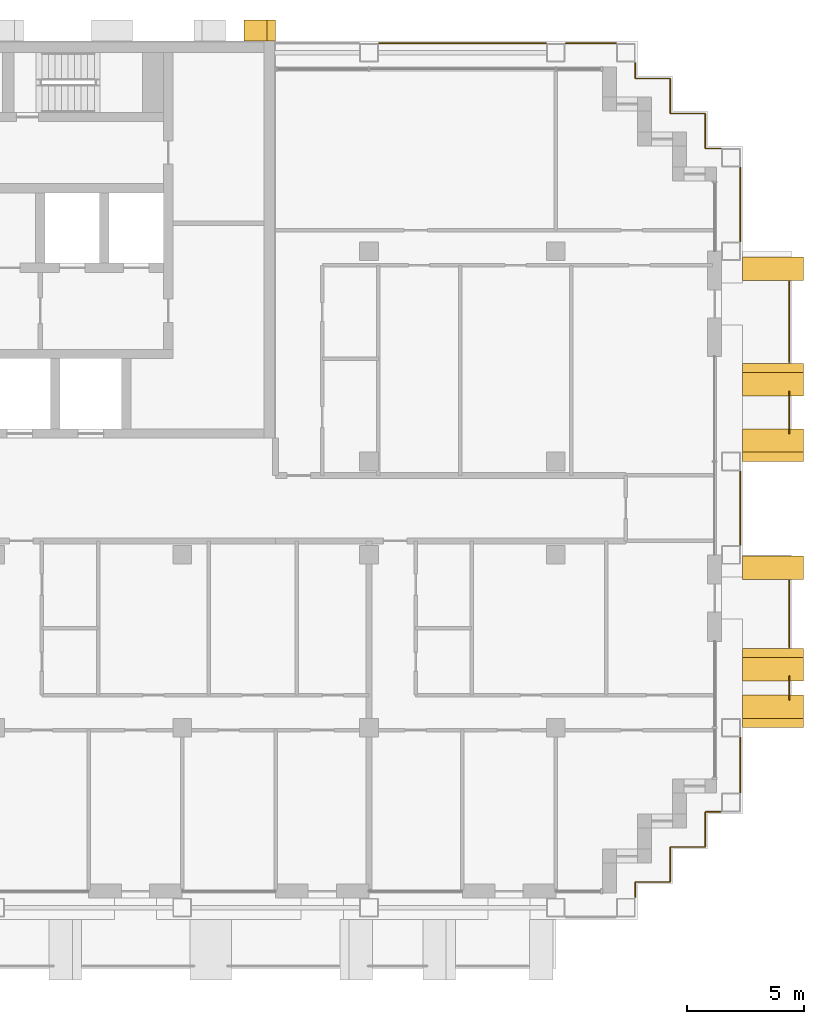
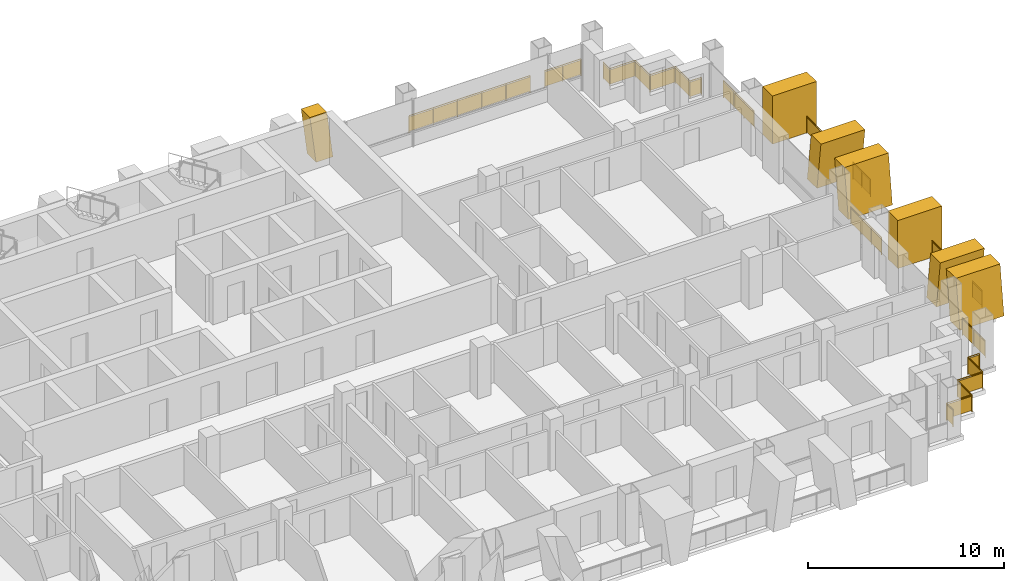
# One storey, part 17 of 17: 11 railings, 7 shading devices.
"""IFC4 building model written with IfcOpenShell, lengths in metres."""

from ifc_helpers import new_model, si_unit, direction, frame, origin, origin_2d, place, context, subcontext, project, spatial, polyline, rectangle, circle, outline, extrude, material, layer, layer_set, type_object, element, save


model = new_model("IFC4")

# Units and contexts
model_context = context("Model", 3, precision=1e-05, world=origin(), true_north=direction((0.0, 1.0)))
body_context = subcontext(model_context, "Body", "Model", "MODEL_VIEW")
ifc_project = project(units=[si_unit("LENGTHUNIT", "METRE"), si_unit("AREAUNIT", "SQUARE_METRE"), si_unit("VOLUMEUNIT", "CUBIC_METRE"), si_unit("PLANEANGLEUNIT", "RADIAN"), si_unit("MASSUNIT", "GRAM", prefix="KILO")], contexts=[model_context])

# Site, building, storey
site_placement = place(None, origin())
site = spatial("IfcSite", under=ifc_project, at=site_placement, CompositionType="ELEMENT")
building_placement = place(site_placement, origin())
building = spatial("IfcBuilding", under=site, at=building_placement, Name="Vidyagriha Tower", CompositionType="ELEMENT")
storey_placement = place(building_placement, frame((0.0, 0.0, 119.800048828125)))
storey = spatial("IfcBuildingStorey", under=building, at=storey_placement, Name="L30", CompositionType="ELEMENT", Elevation=119.800048828125)

# Railings
ifc_material_1 = material(Name="Steel ASTM A500 Grade C black painted", Category="steel")
railing_type_1 = type_object("IfcRailingType", Name="Balcony guard 1100", PredefinedType="BALUSTRADE", material=ifc_material_1)
railing_1_placement = place(storey_placement, frame((36.0, -8.19677734375, 0.0)))
element("IfcRailing", 1, at=railing_1_placement, inside=storey, type_object=railing_type_1, Name="Balcony guard L30 R30.1-1", PredefinedType="BALUSTRADE", context=body_context, shape_type="SweptSolid", body=[
    extrude(circle(Radius=0.02490234375, at=origin_2d()), frame((0.0, 0.0, 1.0751953125), z_axis=(0.0, 1.0, 0.0), x_axis=(-1.0, 0.0, 0.0)), (0.0, 0.0, 1.0), 0.993408203125),
    extrude(circle(Radius=0.02001953125, at=origin_2d()), origin(), (0.0, 0.0, 1.0), 1.050048828125),
    extrude(circle(Radius=0.02001953125, at=origin_2d()), frame((0.0, 0.993408203125, 0.0)), (0.0, 0.0, 1.0), 1.050048828125),
    extrude(rectangle(XDim=0.010009765625, YDim=0.900146484375, at=origin_2d()), frame((0.0, 0.0, 0.550048828125), z_axis=(0.0, 1.0, 0.0), x_axis=(-1.0, 0.0, 0.0)), (0.0, 0.0, 1.0), 0.993408203125),
])
railing_2_placement = place(storey_placement, frame((36.0, -5.949951171875, 0.0)))
element("IfcRailing", 2, at=railing_2_placement, inside=storey, type_object=railing_type_1, Name="Balcony guard L30 R30.1-2", PredefinedType="BALUSTRADE", context=body_context, shape_type="SweptSolid", body=[
    extrude(circle(Radius=0.02490234375, at=origin_2d()), frame((0.0, 0.0, 1.0751953125), z_axis=(0.0, 1.0, 0.0), x_axis=(-1.0, 0.0, 0.0)), (0.0, 0.0, 1.0), 2.849853515625),
    extrude(circle(Radius=0.02001953125, at=origin_2d()), origin(), (0.0, 0.0, 1.0), 1.050048828125),
    extrude(circle(Radius=0.02001953125, at=origin_2d()), frame((0.0, 0.949951171875, 0.0)), (0.0, 0.0, 1.0), 1.050048828125),
    extrude(circle(Radius=0.02001953125, at=origin_2d()), frame((0.0, 1.89990234375, 0.0)), (0.0, 0.0, 1.0), 1.050048828125),
    extrude(circle(Radius=0.02001953125, at=origin_2d()), frame((0.0, 2.849853515625, 0.0)), (0.0, 0.0, 1.0), 1.050048828125),
    extrude(rectangle(XDim=0.010009765625, YDim=0.900146484375, at=origin_2d()), frame((0.0, 0.0, 0.550048828125), z_axis=(0.0, 1.0, 0.0), x_axis=(-1.0, 0.0, 0.0)), (0.0, 0.0, 1.0), 2.849853515625),
])
railing_3_placement = place(storey_placement, frame((36.0, 3.203369140625, 0.0)))
element("IfcRailing", 3, at=railing_3_placement, inside=storey, type_object=railing_type_1, Name="Balcony guard L30 R30.2-1", PredefinedType="BALUSTRADE", context=body_context, shape_type="SweptSolid", body=[
    extrude(circle(Radius=0.02490234375, at=origin_2d()), frame((0.0, 0.0, 1.0751953125), z_axis=(0.0, 1.0, 0.0), x_axis=(-1.0, 0.0, 0.0)), (0.0, 0.0, 1.0), 1.793212890625),
    extrude(circle(Radius=0.02001953125, at=origin_2d()), origin(), (0.0, 0.0, 1.0), 1.050048828125),
    extrude(circle(Radius=0.02001953125, at=origin_2d()), frame((0.0, 0.896484375, 0.0)), (0.0, 0.0, 1.0), 1.050048828125),
    extrude(circle(Radius=0.02001953125, at=origin_2d()), frame((0.0, 1.793212890625, 0.0)), (0.0, 0.0, 1.0), 1.050048828125),
    extrude(rectangle(XDim=0.010009765625, YDim=0.900146484375, at=origin_2d()), frame((0.0, 0.0, 0.550048828125), z_axis=(0.0, 1.0, 0.0), x_axis=(-1.0, 0.0, 0.0)), (0.0, 0.0, 1.0), 1.793212890625),
])
railing_4_placement = place(storey_placement, frame((36.0, 6.25, 0.0)))
element("IfcRailing", 4, at=railing_4_placement, inside=storey, type_object=railing_type_1, Name="Balcony guard L30 R30.2-2", PredefinedType="BALUSTRADE", context=body_context, shape_type="SweptSolid", body=[
    extrude(circle(Radius=0.02490234375, at=origin_2d()), frame((0.0, 0.0, 1.0751953125), z_axis=(0.0, 1.0, 0.0), x_axis=(-1.0, 0.0, 0.0)), (0.0, 0.0, 1.0), 3.449951171875),
    extrude(circle(Radius=0.02001953125, at=origin_2d()), origin(), (0.0, 0.0, 1.0), 1.050048828125),
    extrude(circle(Radius=0.02001953125, at=origin_2d()), frame((0.0, 1.14990234375, 0.0)), (0.0, 0.0, 1.0), 1.050048828125),
    extrude(circle(Radius=0.02001953125, at=origin_2d()), frame((0.0, 2.300048828125, 0.0)), (0.0, 0.0, 1.0), 1.050048828125),
    extrude(circle(Radius=0.02001953125, at=origin_2d()), frame((0.0, 3.449951171875, 0.0)), (0.0, 0.0, 1.0), 1.050048828125),
    extrude(rectangle(XDim=0.010009765625, YDim=0.900146484375, at=origin_2d()), frame((0.0, 0.0, 0.550048828125), z_axis=(0.0, 1.0, 0.0), x_axis=(-1.0, 0.0, 0.0)), (0.0, 0.0, 1.0), 3.449951171875),
])

# Shading devices
ifc_material_2 = material(Name="Precast concrete C40/50 with buff brick facing", Category="concrete")
ifc_layer_1 = layer(ifc_material_2, 1.0)
ifc_layer_set_1 = layer_set([ifc_layer_1], Name="Precast concrete C40/50 with buff brick facing")
shading_device_type_1 = type_object("IfcShadingDeviceType", Name="Brick-faced blade fin arm leaning 8 degrees", PredefinedType="USERDEFINED", material=ifc_layer_set_1)
shading_device_1_placement = place(storey_placement, frame((35.300048828125, -9.39990234375, 0.0), z_axis=(0.0, 0.0, 1.0), x_axis=(0.0, 1.0, 0.0)))
element("IfcShadingDevice", 5, at=shading_device_1_placement, inside=storey, type_object=shading_device_type_1, Name="Leaning blade fin L30 R30.220a", ObjectType="BLADE FIN", PredefinedType="USERDEFINED", context=body_context, shape_type="SweptSolid", body=[
    extrude(outline(polyline([(0.0, 0.0), (1.0, 0.0), (1.39990234375, 3.0), (0.39990234375, 3.0), (0.0, 0.0)])), frame((0.0, 1.300048828125, 0.0), z_axis=(0.0, -1.0, 0.0), x_axis=(1.0, 0.0, 0.0)), (0.0, 0.0, 1.0), 2.60009765625),
])
shading_device_2_placement = place(storey_placement, frame((35.300048828125, -7.39990234375, 0.0), z_axis=(0.0, 0.0, 1.0), x_axis=(0.0, 1.0, 0.0)))
element("IfcShadingDevice", 6, at=shading_device_2_placement, inside=storey, type_object=shading_device_type_1, Name="Leaning blade fin L30 R30.220b", ObjectType="BLADE FIN", PredefinedType="USERDEFINED", context=body_context, shape_type="SweptSolid", body=[
    extrude(outline(polyline([(0.39990234375, 0.0), (1.39990234375, 0.0), (1.0, 3.0), (0.0, 3.0), (0.39990234375, 0.0)])), frame((0.0, 1.300048828125, 0.0), z_axis=(0.0, -1.0, 0.0), x_axis=(1.0, 0.0, 0.0)), (0.0, 0.0, 1.0), 2.60009765625),
])
shading_device_3_placement = place(storey_placement, frame((35.300048828125, 2.0, 0.0), z_axis=(0.0, 0.0, 1.0), x_axis=(0.0, 1.0, 0.0)))
element("IfcShadingDevice", 7, at=shading_device_3_placement, inside=storey, type_object=shading_device_type_1, Name="Leaning blade fin L30 R30.1360a", ObjectType="BLADE FIN", PredefinedType="USERDEFINED", context=body_context, shape_type="SweptSolid", body=[
    extrude(outline(polyline([(0.0, 0.0), (1.0, 0.0), (1.39990234375, 3.0), (0.39990234375, 3.0), (0.0, 0.0)])), frame((0.0, 1.300048828125, 0.0), z_axis=(0.0, -1.0, 0.0), x_axis=(1.0, 0.0, 0.0)), (0.0, 0.0, 1.0), 2.60009765625),
])
shading_device_4_placement = place(storey_placement, frame((35.300048828125, 4.800048828125, 0.0), z_axis=(0.0, 0.0, 1.0), x_axis=(0.0, 1.0, 0.0)))
element("IfcShadingDevice", 8, at=shading_device_4_placement, inside=storey, type_object=shading_device_type_1, Name="Leaning blade fin L30 R30.1360b", ObjectType="BLADE FIN", PredefinedType="USERDEFINED", context=body_context, shape_type="SweptSolid", body=[
    extrude(outline(polyline([(0.39990234375, 0.0), (1.39990234375, 0.0), (1.0, 3.0), (0.0, 3.0), (0.39990234375, 0.0)])), frame((0.0, 1.300048828125, 0.0), z_axis=(0.0, -1.0, 0.0), x_axis=(1.0, 0.0, 0.0)), (0.0, 0.0, 1.0), 2.60009765625),
])
ifc_material_3 = material(Name="Precast concrete C40/50 with buff brick facing", Category="concrete")
ifc_layer_2 = layer(ifc_material_3, 1.0)
ifc_layer_set_2 = layer_set([ifc_layer_2], Name="Precast concrete C40/50 with buff brick facing")
shading_device_type_2 = type_object("IfcShadingDeviceType", Name="Brick-faced blade fin stem 1000", PredefinedType="USERDEFINED", material=ifc_layer_set_2)
for number, where, z_axis, x_axis, name in (
    (9, (35.300048828125, -3.050048828125, 0.0), (0.0, 0.0, 1.0), (0.0, 1.0, 0.0), "Stem blade fin L30 R30.960a"),
    (10, (35.300048828125, 9.75, 0.0), (0.0, 0.0, 1.0), (0.0, 1.0, 0.0), "Stem blade fin L30 R30.2260a"),
):
    element("IfcShadingDevice", number, at=place(storey_placement, frame(where, z_axis=z_axis, x_axis=x_axis)), inside=storey, type_object=shading_device_type_2, Name=name, ObjectType="BLADE FIN", PredefinedType="USERDEFINED", context=body_context, shape_type="SweptSolid", body=[
        extrude(outline(polyline([(0.0, 0.0), (1.0, 0.0), (1.0, 3.0), (0.0, 3.0), (0.0, 0.0)])), frame((0.0, 1.300048828125, 0.0), z_axis=(0.0, -1.0, 0.0), x_axis=(1.0, 0.0, 0.0)), (0.0, 0.0, 1.0), 2.60009765625),
    ])
ifc_material_4 = material(Name="Precast concrete C40/50 with brick facing", Category="concrete")
ifc_layer_3 = layer(ifc_material_4, 1.0)
ifc_layer_set_3 = layer_set([ifc_layer_3], Name="Precast concrete C40/50 with brick facing")
shading_device_type_3 = type_object("IfcShadingDeviceType", Name="Brick-faced rear rib arm leaning 8 degrees", PredefinedType="USERDEFINED", material=ifc_layer_set_3)
shading_device_5_placement = place(storey_placement, frame((14.0, 20.449951171875, 0.0), z_axis=(0.0, 0.0, 1.0), x_axis=(-1.0, 0.0, 0.0)))
element("IfcShadingDevice", 11, at=shading_device_5_placement, inside=storey, type_object=shading_device_type_3, Name="Rear rib arm L30 R08.1a", ObjectType="BLADE FIN", PredefinedType="USERDEFINED", context=body_context, shape_type="SweptSolid", body=[
    extrude(outline(polyline([(0.0, 0.0), (1.0, 0.0), (1.357177734375, 2.919921875), (0.357177734375, 2.919921875), (0.0, 0.0)])), frame((0.0, 0.449951171875, 0.0), z_axis=(0.0, -1.0, 0.0), x_axis=(1.0, 0.0, 0.0)), (0.0, 0.0, 1.0), 0.89990234375),
])

# Railings
ifc_material_5 = material(Name="Steel ASTM A500 Grade C black painted", Category="steel")
railing_type_2 = type_object("IfcRailingType", Name="Gallery guard 1100", PredefinedType="GUARDRAIL", material=ifc_material_5)
railing_5_placement = place(storey_placement, frame((18.429931640625, 19.89990234375, 0.0)))
element("IfcRailing", 12, at=railing_5_placement, inside=storey, type_object=railing_type_2, Name="Gallery guard L30 10", PredefinedType="GUARDRAIL", context=body_context, shape_type="SweptSolid", body=[
    extrude(circle(Radius=0.02490234375, at=origin_2d()), frame((0.0, 0.0, 1.0751953125), z_axis=(1.0, 0.0, 0.0), x_axis=(0.0, 1.0, 0.0)), (0.0, 0.0, 1.0), 7.14013671875),
    extrude(circle(Radius=0.02001953125, at=origin_2d()), origin(), (0.0, 0.0, 1.0), 1.050048828125),
    extrude(circle(Radius=0.02001953125, at=origin_2d()), frame((1.427978515625, 0.0, 0.0)), (0.0, 0.0, 1.0), 1.050048828125),
    extrude(circle(Radius=0.02001953125, at=origin_2d()), frame((2.85595703125, 0.0, 0.0)), (0.0, 0.0, 1.0), 1.050048828125),
    extrude(circle(Radius=0.02001953125, at=origin_2d()), frame((4.2841796875, 0.0, 0.0)), (0.0, 0.0, 1.0), 1.050048828125),
    extrude(circle(Radius=0.02001953125, at=origin_2d()), frame((5.712158203125, 0.0, 0.0)), (0.0, 0.0, 1.0), 1.050048828125),
    extrude(circle(Radius=0.02001953125, at=origin_2d()), frame((7.14013671875, 0.0, 0.0)), (0.0, 0.0, 1.0), 1.050048828125),
    extrude(rectangle(XDim=0.010009765625, YDim=0.900146484375, at=origin_2d()), frame((0.0, 0.0, 0.550048828125), z_axis=(1.0, 0.0, 0.0), x_axis=(0.0, 1.0, 0.0)), (0.0, 0.0, 1.0), 7.14013671875),
])
railing_6_placement = place(storey_placement, frame((26.429931640625, 19.89990234375, 0.0)))
element("IfcRailing", 13, at=railing_6_placement, inside=storey, type_object=railing_type_2, Name="Gallery guard L30 12", PredefinedType="GUARDRAIL", context=body_context, shape_type="SweptSolid", body=[
    extrude(circle(Radius=0.02490234375, at=origin_2d()), frame((0.0, 0.0, 1.0751953125), z_axis=(1.0, 0.0, 0.0), x_axis=(0.0, 1.0, 0.0)), (0.0, 0.0, 1.0), 2.14013671875),
    extrude(circle(Radius=0.02001953125, at=origin_2d()), origin(), (0.0, 0.0, 1.0), 1.050048828125),
    extrude(circle(Radius=0.02001953125, at=origin_2d()), frame((1.070068359375, 0.0, 0.0)), (0.0, 0.0, 1.0), 1.050048828125),
    extrude(circle(Radius=0.02001953125, at=origin_2d()), frame((2.14013671875, 0.0, 0.0)), (0.0, 0.0, 1.0), 1.050048828125),
    extrude(rectangle(XDim=0.010009765625, YDim=0.900146484375, at=origin_2d()), frame((0.0, 0.0, 0.550048828125), z_axis=(1.0, 0.0, 0.0), x_axis=(0.0, 1.0, 0.0)), (0.0, 0.0, 1.0), 2.14013671875),
])
railing_7_placement = place(storey_placement, frame((33.070068359375, -13.0, 0.0)))
element("IfcRailing", 14, at=railing_7_placement, inside=storey, type_object=railing_type_2, Name="Gallery guard L30 13", PredefinedType="GUARDRAIL", context=body_context, shape_type="SweptSolid", body=[
    extrude(circle(Radius=0.02490234375, at=origin_2d()), frame((0.0, 0.0, 1.0751953125), z_axis=(-1.0, 0.0, 0.0), x_axis=(0.0, -1.0, 0.0)), (0.0, 0.0, 1.0), 0.670166015625),
    extrude(circle(Radius=0.02490234375, at=origin_2d()), frame((-0.670166015625, 0.0, 1.0751953125), z_axis=(0.0, -1.0, 0.0), x_axis=(1.0, 0.0, 0.0)), (0.0, 0.0, 1.0), 1.5),
    extrude(circle(Radius=0.02490234375, at=origin_2d()), frame((-0.670166015625, -1.5, 1.0751953125), z_axis=(-1.0, 0.0, 0.0), x_axis=(0.0, -1.0, 0.0)), (0.0, 0.0, 1.0), 1.5),
    extrude(circle(Radius=0.02490234375, at=origin_2d()), frame((-2.170166015625, -1.5, 1.0751953125), z_axis=(0.0, -1.0, 0.0), x_axis=(1.0, 0.0, 0.0)), (0.0, 0.0, 1.0), 1.5),
    extrude(circle(Radius=0.02490234375, at=origin_2d()), frame((-2.170166015625, -3.0, 1.0751953125), z_axis=(-1.0, 0.0, 0.0), x_axis=(0.0, -1.0, 0.0)), (0.0, 0.0, 1.0), 1.5),
    extrude(circle(Radius=0.02490234375, at=origin_2d()), frame((-3.670166015625, -3.0, 1.0751953125), z_axis=(0.0, -1.0, 0.0), x_axis=(1.0, 0.0, 0.0)), (0.0, 0.0, 1.0), 0.669921875),
    extrude(circle(Radius=0.02001953125, at=origin_2d()), origin(), (0.0, 0.0, 1.0), 1.050048828125),
    extrude(circle(Radius=0.02001953125, at=origin_2d()), frame((-0.670166015625, 0.0, 0.0)), (0.0, 0.0, 1.0), 1.050048828125),
    extrude(circle(Radius=0.02001953125, at=origin_2d()), frame((-0.670166015625, -1.5, 0.0)), (0.0, 0.0, 1.0), 1.050048828125),
    extrude(circle(Radius=0.02001953125, at=origin_2d()), frame((-2.170166015625, -1.5, 0.0)), (0.0, 0.0, 1.0), 1.050048828125),
    extrude(circle(Radius=0.02001953125, at=origin_2d()), frame((-2.170166015625, -3.0, 0.0)), (0.0, 0.0, 1.0), 1.050048828125),
    extrude(circle(Radius=0.02001953125, at=origin_2d()), frame((-3.670166015625, -3.0, 0.0)), (0.0, 0.0, 1.0), 1.050048828125),
    extrude(circle(Radius=0.02001953125, at=origin_2d()), frame((-3.670166015625, -3.669921875, 0.0)), (0.0, 0.0, 1.0), 1.050048828125),
    extrude(rectangle(XDim=0.010009765625, YDim=0.900146484375, at=origin_2d()), frame((0.0, 0.0, 0.550048828125), z_axis=(-1.0, 0.0, 0.0), x_axis=(0.0, -1.0, 0.0)), (0.0, 0.0, 1.0), 0.670166015625),
    extrude(rectangle(XDim=0.010009765625, YDim=0.900146484375, at=origin_2d()), frame((-0.670166015625, 0.0, 0.550048828125), z_axis=(0.0, -1.0, 0.0), x_axis=(1.0, 0.0, 0.0)), (0.0, 0.0, 1.0), 1.5),
    extrude(rectangle(XDim=0.010009765625, YDim=0.900146484375, at=origin_2d()), frame((-0.670166015625, -1.5, 0.550048828125), z_axis=(-1.0, 0.0, 0.0), x_axis=(0.0, -1.0, 0.0)), (0.0, 0.0, 1.0), 1.5),
    extrude(rectangle(XDim=0.010009765625, YDim=0.900146484375, at=origin_2d()), frame((-2.170166015625, -1.5, 0.550048828125), z_axis=(0.0, -1.0, 0.0), x_axis=(1.0, 0.0, 0.0)), (0.0, 0.0, 1.0), 1.5),
    extrude(rectangle(XDim=0.010009765625, YDim=0.900146484375, at=origin_2d()), frame((-2.170166015625, -3.0, 0.550048828125), z_axis=(-1.0, 0.0, 0.0), x_axis=(0.0, -1.0, 0.0)), (0.0, 0.0, 1.0), 1.5),
    extrude(rectangle(XDim=0.010009765625, YDim=0.900146484375, at=origin_2d()), frame((-3.670166015625, -3.0, 0.550048828125), z_axis=(0.0, -1.0, 0.0), x_axis=(1.0, 0.0, 0.0)), (0.0, 0.0, 1.0), 0.669921875),
])
railing_8_placement = place(storey_placement, frame((29.39990234375, 19.070068359375, 0.0)))
element("IfcRailing", 15, at=railing_8_placement, inside=storey, type_object=railing_type_2, Name="Gallery guard L30 14", PredefinedType="GUARDRAIL", context=body_context, shape_type="SweptSolid", body=[
    extrude(circle(Radius=0.02490234375, at=origin_2d()), frame((0.0, 0.0, 1.0751953125), z_axis=(0.0, -1.0, 0.0), x_axis=(1.0, 0.0, 0.0)), (0.0, 0.0, 1.0), 0.670166015625),
    extrude(circle(Radius=0.02490234375, at=origin_2d()), frame((0.0, -0.670166015625, 1.0751953125), z_axis=(1.0, 0.0, 0.0), x_axis=(0.0, 1.0, 0.0)), (0.0, 0.0, 1.0), 1.5),
    extrude(circle(Radius=0.02490234375, at=origin_2d()), frame((1.5, -0.670166015625, 1.0751953125), z_axis=(0.0, -1.0, 0.0), x_axis=(1.0, 0.0, 0.0)), (0.0, 0.0, 1.0), 1.5),
    extrude(circle(Radius=0.02490234375, at=origin_2d()), frame((1.5, -2.170166015625, 1.0751953125), z_axis=(1.0, 0.0, 0.0), x_axis=(0.0, 1.0, 0.0)), (0.0, 0.0, 1.0), 1.5),
    extrude(circle(Radius=0.02490234375, at=origin_2d()), frame((3.0, -2.170166015625, 1.0751953125), z_axis=(0.0, -1.0, 0.0), x_axis=(1.0, 0.0, 0.0)), (0.0, 0.0, 1.0), 1.5),
    extrude(circle(Radius=0.02490234375, at=origin_2d()), frame((3.0, -3.670166015625, 1.0751953125), z_axis=(1.0, 0.0, 0.0), x_axis=(0.0, 1.0, 0.0)), (0.0, 0.0, 1.0), 0.670166015625),
    extrude(circle(Radius=0.02001953125, at=origin_2d()), origin(), (0.0, 0.0, 1.0), 1.050048828125),
    extrude(circle(Radius=0.02001953125, at=origin_2d()), frame((0.0, -0.670166015625, 0.0)), (0.0, 0.0, 1.0), 1.050048828125),
    extrude(circle(Radius=0.02001953125, at=origin_2d()), frame((1.5, -0.670166015625, 0.0)), (0.0, 0.0, 1.0), 1.050048828125),
    extrude(circle(Radius=0.02001953125, at=origin_2d()), frame((1.5, -2.170166015625, 0.0)), (0.0, 0.0, 1.0), 1.050048828125),
    extrude(circle(Radius=0.02001953125, at=origin_2d()), frame((3.0, -2.170166015625, 0.0)), (0.0, 0.0, 1.0), 1.050048828125),
    extrude(circle(Radius=0.02001953125, at=origin_2d()), frame((3.0, -3.670166015625, 0.0)), (0.0, 0.0, 1.0), 1.050048828125),
    extrude(circle(Radius=0.02001953125, at=origin_2d()), frame((3.670166015625, -3.670166015625, 0.0)), (0.0, 0.0, 1.0), 1.050048828125),
    extrude(rectangle(XDim=0.010009765625, YDim=0.900146484375, at=origin_2d()), frame((0.0, 0.0, 0.550048828125), z_axis=(0.0, -1.0, 0.0), x_axis=(1.0, 0.0, 0.0)), (0.0, 0.0, 1.0), 0.670166015625),
    extrude(rectangle(XDim=0.010009765625, YDim=0.900146484375, at=origin_2d()), frame((0.0, -0.670166015625, 0.550048828125), z_axis=(1.0, 0.0, 0.0), x_axis=(0.0, 1.0, 0.0)), (0.0, 0.0, 1.0), 1.5),
    extrude(rectangle(XDim=0.010009765625, YDim=0.900146484375, at=origin_2d()), frame((1.5, -0.670166015625, 0.550048828125), z_axis=(0.0, -1.0, 0.0), x_axis=(1.0, 0.0, 0.0)), (0.0, 0.0, 1.0), 1.5),
    extrude(rectangle(XDim=0.010009765625, YDim=0.900146484375, at=origin_2d()), frame((1.5, -2.170166015625, 0.550048828125), z_axis=(1.0, 0.0, 0.0), x_axis=(0.0, 1.0, 0.0)), (0.0, 0.0, 1.0), 1.5),
    extrude(rectangle(XDim=0.010009765625, YDim=0.900146484375, at=origin_2d()), frame((3.0, -2.170166015625, 0.550048828125), z_axis=(0.0, -1.0, 0.0), x_axis=(1.0, 0.0, 0.0)), (0.0, 0.0, 1.0), 1.5),
    extrude(rectangle(XDim=0.010009765625, YDim=0.900146484375, at=origin_2d()), frame((3.0, -3.670166015625, 0.550048828125), z_axis=(1.0, 0.0, 0.0), x_axis=(0.0, 1.0, 0.0)), (0.0, 0.0, 1.0), 0.670166015625),
])
railing_9_placement = place(storey_placement, frame((33.89990234375, -9.830078125, 0.0)))
element("IfcRailing", 16, at=railing_9_placement, inside=storey, type_object=railing_type_2, Name="Gallery guard L30 15", PredefinedType="GUARDRAIL", context=body_context, shape_type="SweptSolid", body=[
    extrude(circle(Radius=0.02490234375, at=origin_2d()), frame((0.0, 0.0, 1.0751953125), z_axis=(0.0, -1.0, 0.0), x_axis=(1.0, 0.0, 0.0)), (0.0, 0.0, 1.0), 2.33984375),
    extrude(circle(Radius=0.02001953125, at=origin_2d()), origin(), (0.0, 0.0, 1.0), 1.050048828125),
    extrude(circle(Radius=0.02001953125, at=origin_2d()), frame((0.0, -1.169921875, 0.0)), (0.0, 0.0, 1.0), 1.050048828125),
    extrude(circle(Radius=0.02001953125, at=origin_2d()), frame((0.0, -2.33984375, 0.0)), (0.0, 0.0, 1.0), 1.050048828125),
    extrude(rectangle(XDim=0.010009765625, YDim=0.900146484375, at=origin_2d()), frame((0.0, 0.0, 0.550048828125), z_axis=(0.0, -1.0, 0.0), x_axis=(1.0, 0.0, 0.0)), (0.0, 0.0, 1.0), 2.33984375),
])
for number, where, name in (
    (17, (33.89990234375, 1.570068359375, 0.0), "Gallery guard L30 16"),
    (18, (33.89990234375, 14.570068359375, 0.0), "Gallery guard L30 17"),
):
    element("IfcRailing", number, at=place(storey_placement, frame(where)), inside=storey, type_object=railing_type_2, Name=name, PredefinedType="GUARDRAIL", context=body_context, shape_type="SweptSolid", body=[
        extrude(circle(Radius=0.02490234375, at=origin_2d()), frame((0.0, 0.0, 1.0751953125), z_axis=(0.0, -1.0, 0.0), x_axis=(1.0, 0.0, 0.0)), (0.0, 0.0, 1.0), 3.14013671875),
        extrude(circle(Radius=0.02001953125, at=origin_2d()), origin(), (0.0, 0.0, 1.0), 1.050048828125),
        extrude(circle(Radius=0.02001953125, at=origin_2d()), frame((0.0, -1.046630859375, 0.0)), (0.0, 0.0, 1.0), 1.050048828125),
        extrude(circle(Radius=0.02001953125, at=origin_2d()), frame((0.0, -2.093505859375, 0.0)), (0.0, 0.0, 1.0), 1.050048828125),
        extrude(circle(Radius=0.02001953125, at=origin_2d()), frame((0.0, -3.14013671875, 0.0)), (0.0, 0.0, 1.0), 1.050048828125),
        extrude(rectangle(XDim=0.010009765625, YDim=0.900146484375, at=origin_2d()), frame((0.0, 0.0, 0.550048828125), z_axis=(0.0, -1.0, 0.0), x_axis=(1.0, 0.0, 0.0)), (0.0, 0.0, 1.0), 3.14013671875),
    ])

save(model, "model.ifc")
